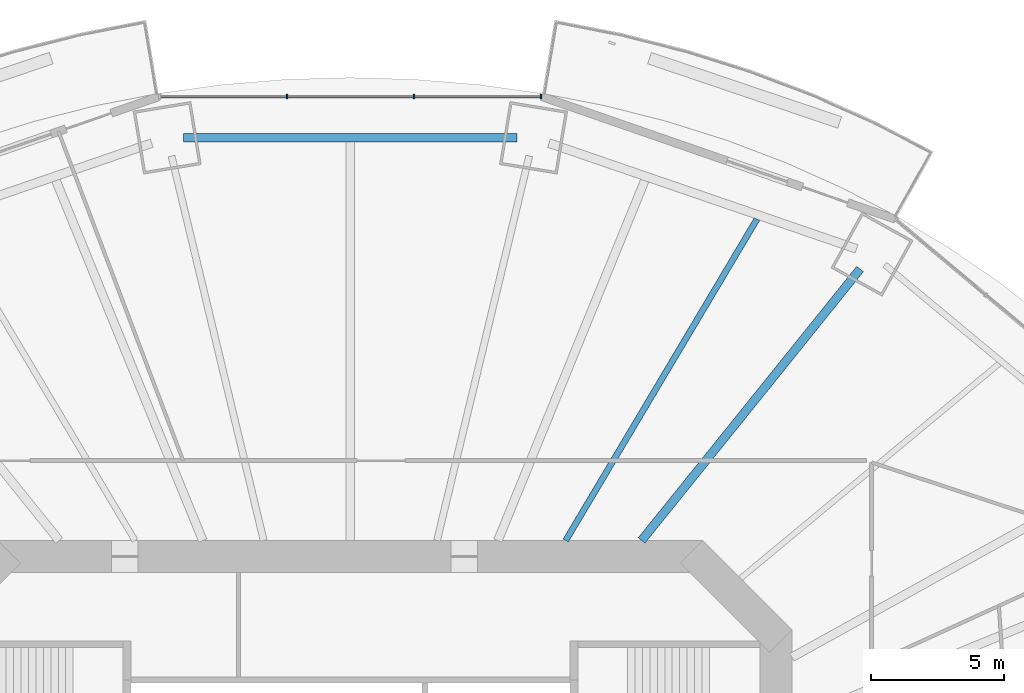
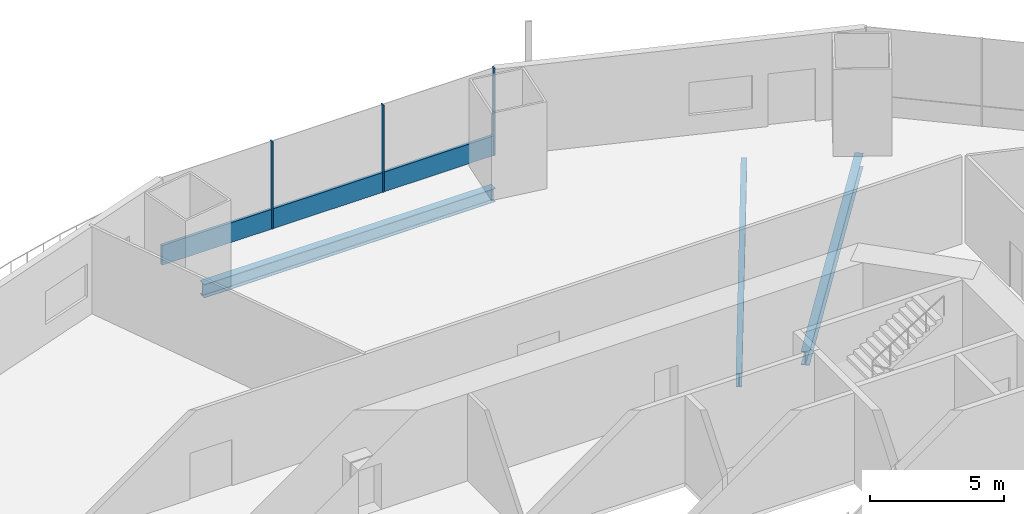
# One storey, part 9 of 23: 4 members, 3 beams, 1 element without a shape of its own.
"""IFC4 building model written with IfcOpenShell, lengths in metres."""

import ifcopenshell
import ifcopenshell.guid

model = None  # the IFC model being written
_history = None  # IfcOwnerHistory: only IFC2X3 demands one
_inside = {}  # id of a spatial element -> (the spatial element, [elements in it])
_under = {}  # id of a project, library or spatial element -> (it, [spatial elements below it])
_declared = {}  # id of a project -> (the project, [libraries it declares])
_typed = {}  # id of a type object -> (the type object, [elements of that type])
_made_of = {}  # id of a material, layer set ... -> (it, [elements and type objects made of it])


def new_model(schema):
    """Start an empty IFC model of exactly this schema.

    Asked for "IFC4X3", IfcOpenShell would pick the latest addendum, in which some entities
    have other attributes; the version numbers below select the first issue.
    IFC2X3 requires an IfcOwnerHistory on every rooted entity: one is made here for all.
    """
    global model, _history
    if schema == "IFC4X3":
        model = ifcopenshell.file(schema_version=(4, 3, 0, 0))
    else:
        model = ifcopenshell.file(schema=schema)
    _inside.clear()
    _under.clear()
    _declared.clear()
    _typed.clear()
    _made_of.clear()
    _history = None
    if model.schema == "IFC2X3":
        org = make("IfcOrganization", Name="unknown")
        user = make(
            "IfcPersonAndOrganization",
            ThePerson=make("IfcPerson", FamilyName="unknown"),
            TheOrganization=org,
        )
        app = make(
            "IfcApplication",
            ApplicationDeveloper=org,
            Version="unknown",
            ApplicationFullName="unknown",
            ApplicationIdentifier="unknown",
        )
        _history = make(
            "IfcOwnerHistory",
            OwningUser=user,
            OwningApplication=app,
            ChangeAction="ADDED",
            CreationDate=0,
        )
    return model


def make(cls, **values):
    """One entity of the class cls with the attributes given. An attribute that is None is left unset."""
    return model.create_entity(
        cls, **{name: value for name, value in values.items() if value is not None}
    )


def rooted(cls, **values):
    """An entity with a GlobalId (a new one), such as an element, a storey or a relation."""
    return make(cls, GlobalId=ifcopenshell.guid.new(), OwnerHistory=_history, **values)


def si_unit(unit_type, name, prefix=None):
    """IfcSIUnit, for example si_unit("LENGTHUNIT", "METRE", prefix="MILLI")."""
    return make("IfcSIUnit", UnitType=unit_type, Prefix=prefix, Name=name)


def assignment(units):
    """IfcUnitAssignment: the units of a project."""
    return None if units is None else make("IfcUnitAssignment", Units=units)


def point(xyz):
    """IfcCartesianPoint."""
    return None if xyz is None else make("IfcCartesianPoint", Coordinates=xyz)


def direction(xyz):
    """IfcDirection."""
    return None if xyz is None else make("IfcDirection", DirectionRatios=xyz)


def frame(location, z_axis=None, x_axis=None):
    """IfcAxis2Placement3D, a coordinate frame: its origin and axes. An axis left out is left unset."""
    return make(
        "IfcAxis2Placement3D",
        Location=point(location),
        Axis=direction(z_axis),
        RefDirection=direction(x_axis),
    )


def frame_2d(location, x_axis=None):
    """IfcAxis2Placement2D, a coordinate frame in the plane: its origin and x axis."""
    return make(
        "IfcAxis2Placement2D", Location=point(location), RefDirection=direction(x_axis)
    )


def origin():
    """The frame at (0, 0, 0) with its axes left unset."""
    return frame((0.0, 0.0, 0.0))


def origin_2d():
    """The frame at (0, 0) in the plane with its x axis left unset."""
    return frame_2d((0.0, 0.0))


def place(relative_to, where):
    """IfcLocalPlacement: puts the frame where relative to a parent placement (None: the world)."""
    return make(
        "IfcLocalPlacement", PlacementRelTo=relative_to, RelativePlacement=where
    )


def context(
    kind, dimensions, precision=None, world=None, true_north=None, identifier=None
):
    """IfcGeometricRepresentationContext, for example the 3D "Model" context."""
    return make(
        "IfcGeometricRepresentationContext",
        ContextIdentifier=identifier,
        ContextType=kind,
        CoordinateSpaceDimension=dimensions,
        Precision=precision,
        WorldCoordinateSystem=world,
        TrueNorth=true_north,
    )


def subcontext(parent, identifier, kind, view, scale=None):
    """IfcGeometricRepresentationSubContext, for example "Body" below "Model"."""
    return make(
        "IfcGeometricRepresentationSubContext",
        ContextIdentifier=identifier,
        ContextType=kind,
        ParentContext=parent,
        TargetScale=scale,
        TargetView=view,
    )


def project(units=None, contexts=None):
    """IfcProject with its units and contexts."""
    return rooted(
        "IfcProject",
        Name="project",
        RepresentationContexts=contexts,
        UnitsInContext=assignment(units),
    )


def spatial(cls, under=None, at=None, **own):
    """A site, building, storey or space (cls), placed at a placement, below another one or the project."""
    s = rooted(cls, ObjectPlacement=at, **own)
    if under is not None:
        _under.setdefault(under.id(), (under, []))[1].append(s)
    return s


def profile(cls, at=None, kind="AREA", **sizes):
    """A parametric profile (cls). Its sizes go by their IFC names, for example OverallWidth=200.0."""
    return make(cls, ProfileType=kind, Position=at, **sizes)


def rectangle(**sizes):
    """IfcRectangleProfileDef."""
    return profile("IfcRectangleProfileDef", **sizes)


def i_section(**sizes):
    """IfcIShapeProfileDef."""
    return profile("IfcIShapeProfileDef", **sizes)


def extrude(swept, where, along, depth):
    """IfcExtrudedAreaSolid: the profile swept, set in the frame where, extruded along a direction by depth."""
    return make(
        "IfcExtrudedAreaSolid",
        SweptArea=swept,
        Position=where,
        ExtrudedDirection=direction(along),
        Depth=depth,
    )


def shape(context_of_items, identifier, shape_type, items):
    """IfcShapeRepresentation: the items that make up one representation, for example the "Body"."""
    return make(
        "IfcShapeRepresentation",
        ContextOfItems=context_of_items,
        RepresentationIdentifier=identifier,
        RepresentationType=shape_type,
        Items=items,
    )


def material(Name=None, Category=None):
    """IfcMaterial."""
    return make("IfcMaterial", Name=Name, Category=Category)


def material_profile(
    of_material, cross_section, Name=None, Category=None, Priority=None
):
    """IfcMaterialProfile: a cross section and its material."""
    return make(
        "IfcMaterialProfile",
        Name=Name,
        Material=of_material,
        Profile=cross_section,
        Priority=Priority,
        Category=Category,
    )


def profile_set(profiles, Name=None, composite=None):
    """IfcMaterialProfileSet."""
    return make(
        "IfcMaterialProfileSet",
        Name=Name,
        MaterialProfiles=profiles,
        CompositeProfile=composite,
    )


def made_of(thing, what):
    """Note that an element or type object is made of a material, layer set ...; save() writes the relation."""
    if what is not None:
        _made_of.setdefault(what.id(), (what, []))[1].append(thing)
    return thing


def type_object(cls, material=None, **own):
    """A type object (cls), such as IfcWallType, which elements share."""
    return made_of(rooted(cls, **own), material)


def element(
    cls,
    number,
    at=None,
    inside=None,
    cuts=None,
    type_object=None,
    material=None,
    context=None,
    identifier="Body",
    shape_type=None,
    held_by="IfcProductDefinitionShape",
    body=None,
    shapes=None,
    **own,
):
    """One element of the class cls, such as IfcWall. Its Tag is "e" and its number.

    at: its placement. inside: the storey or other place that contains it. cuts: it is an
    opening in that element (IfcRelVoidsElement). A single representation is given by context,
    identifier, shape_type and body (its items); several are given by shapes. held_by: the class
    of the entity that holds the representations. save() writes the other relations.
    """
    e = rooted(cls, Tag="e%d" % number, ObjectPlacement=at, **own)
    if body is not None:
        shapes = [shape(context, identifier, shape_type, body)]
    if shapes is not None:
        e.Representation = make(held_by, Representations=shapes)
    if inside is not None:
        _inside.setdefault(inside.id(), (inside, []))[1].append(e)
    if cuts is not None:
        rooted(
            "IfcRelVoidsElement", RelatingBuildingElement=cuts, RelatedOpeningElement=e
        )
    if type_object is not None:
        _typed.setdefault(type_object.id(), (type_object, []))[1].append(e)
    return made_of(e, material)


def aggregate(whole, parts):
    """IfcRelAggregates: a whole, such as a stair, and the parts it consists of."""
    return rooted("IfcRelAggregates", RelatingObject=whole, RelatedObjects=parts)


def save(model, path):
    """Write the relations noted so far, then the file.

    IfcRelAggregates (storeys below a building ...), IfcRelContainedInSpatialStructure (elements
    in a storey), IfcRelDefinesByType, IfcRelAssociatesMaterial and IfcRelDeclares: one each for
    every whole, place, type object, material and project.
    """
    for whole, parts in _under.values():
        aggregate(whole, parts)
    for where, things in _inside.values():
        rooted(
            "IfcRelContainedInSpatialStructure",
            RelatedElements=things,
            RelatingStructure=where,
        )
    for kind, things in _typed.values():
        rooted("IfcRelDefinesByType", RelatedObjects=things, RelatingType=kind)
    for what, things in _made_of.values():
        rooted("IfcRelAssociatesMaterial", RelatedObjects=things, RelatingMaterial=what)
    for by, libraries in _declared.values():
        rooted("IfcRelDeclares", RelatingContext=by, RelatedDefinitions=libraries)
    model.write(path)


model = new_model("IFC4")

# Units and contexts
model_context = context("Model", 3, precision=1e-05, world=origin(), true_north=direction((0.0, 1.0)))
body_context = subcontext(model_context, "Body", "Model", "MODEL_VIEW")
ifc_project = project(units=[si_unit("LENGTHUNIT", "METRE"), si_unit("AREAUNIT", "SQUARE_METRE"), si_unit("VOLUMEUNIT", "CUBIC_METRE"), si_unit("PLANEANGLEUNIT", "RADIAN"), si_unit("MASSUNIT", "GRAM", prefix="KILO")], contexts=[model_context])

# Site, building, storey
site_placement = place(None, origin())
site = spatial("IfcSite", under=ifc_project, at=site_placement, CompositionType="ELEMENT")
building_placement = place(site_placement, origin())
building = spatial("IfcBuilding", under=site, at=building_placement, Name="Marenthal Gate Tower", CompositionType="ELEMENT")
storey_placement = place(building_placement, frame((0.0, 0.0, 41.300048828125)))
storey = spatial("IfcBuildingStorey", under=building, at=storey_placement, Name="L06", CompositionType="ELEMENT", Elevation=41.300048828125)

# Curtain wall, members
ifc_material_1 = material(Name="Aluminium and glass", Category="aluminium")
curtain_wall_type = type_object("IfcCurtainWallType", Name="Curtain wall typical low", PredefinedType="NOTDEFINED", material=ifc_material_1)
curtain_wall_placement = place(storey_placement, origin())
curtain_wall = element("IfcCurtainWall", 1, at=curtain_wall_placement, inside=storey, type_object=curtain_wall_type, Name="Curtain wall L06 bay 4", PredefinedType="NOTDEFINED")
ifc_material_2 = material(Name="Aluminium", Category="aluminium")
ifc_material_profile_1 = material_profile(ifc_material_2, rectangle(XDim=0.159912109375, YDim=0.06005859375, at=origin_2d()), Name="60x160 aluminium mullion")
ifc_profile_set_1 = profile_set([ifc_material_profile_1], Name="Aluminium")
member_type_1 = type_object("IfcMemberType", Name="Mullion 60x160 typical low", PredefinedType="MULLION", material=ifc_profile_set_1)
member_1_placement = place(storey_placement, frame((7.164794921875, 30.28662109375, 0.0), z_axis=(0.0, 0.0, 1.0), x_axis=(0.0, -1.0, 0.0)))
member_1 = element("IfcMember", 2, at=member_1_placement, type_object=member_type_1, Name="Mullion L06 bay 4.1", PredefinedType="MULLION", context=body_context, shape_type="SweptSolid", body=[
    extrude(rectangle(XDim=0.159912109375, YDim=0.06005859375, at=origin_2d()), origin(), (0.0, 0.0, 1.0), 3.969970703125),
])
member_2_placement = place(storey_placement, frame((2.38818359375, 30.28662109375, 0.0), z_axis=(0.0, 0.0, 1.0), x_axis=(0.0, -1.0, 0.0)))
member_2 = element("IfcMember", 3, at=member_2_placement, type_object=member_type_1, Name="Mullion L06 bay 4.2", PredefinedType="MULLION", context=body_context, shape_type="SweptSolid", body=[
    extrude(rectangle(XDim=0.159912109375, YDim=0.06005859375, at=origin_2d()), origin(), (0.0, 0.0, 1.0), 3.969970703125),
])
member_3_placement = place(storey_placement, frame((-2.38818359375, 30.28662109375, 0.0), z_axis=(0.0, 0.0, 1.0), x_axis=(0.0, -1.0, 0.0)))
member_3 = element("IfcMember", 4, at=member_3_placement, type_object=member_type_1, Name="Mullion L06 bay 4.3", PredefinedType="MULLION", context=body_context, shape_type="SweptSolid", body=[
    extrude(rectangle(XDim=0.159912109375, YDim=0.06005859375, at=origin_2d()), origin(), (0.0, 0.0, 1.0), 3.969970703125),
])
ifc_material_3 = material(Name="Aluminium", Category="aluminium")
ifc_material_profile_2 = material_profile(ifc_material_3, rectangle(XDim=0.1201171875, YDim=0.89990234375, at=origin_2d()), Name="120x900 aluminium transom")
ifc_profile_set_2 = profile_set([ifc_material_profile_2], Name="Aluminium")
member_type_2 = type_object("IfcMemberType", Name="Transom 120x900 typical low", PredefinedType="USERDEFINED", material=ifc_profile_set_2)
member_4_placement = place(storey_placement, frame((7.135009765625, 30.28662109375, 0.449951171875), z_axis=(-1.0, 0.0, 0.0), x_axis=(0.0, -1.0, 0.0)))
member_4 = element("IfcMember", 5, at=member_4_placement, type_object=member_type_2, Name="Transom L06 bay 4", ObjectType="TRANSOM", PredefinedType="USERDEFINED", context=body_context, shape_type="SweptSolid", body=[
    extrude(rectangle(XDim=0.1201171875, YDim=0.89990234375, at=origin_2d()), origin(), (0.0, 0.0, 1.0), 14.27001953125),
])
aggregate(curtain_wall, [member_1, member_2, member_3, member_4])

# Beams
ifc_material_4 = material(Name="Steel S355", Category="steel")
ifc_material_profile_3 = material_profile(ifc_material_4, i_section(OverallWidth=0.22900390625, OverallDepth=0.612060546875, WebThickness=0.011962890625, FlangeThickness=0.01953125, FilletRadius=0.0126953125, at=origin_2d()), Name="W610X125")
ifc_profile_set_3 = profile_set([ifc_material_profile_3], Name="Steel S355")
beam_type_1 = type_object("IfcBeamType", Name="W610X125 beam", PredefinedType="BEAM", material=ifc_profile_set_3)
beam_1_placement = place(storey_placement, frame((15.28515625, 25.677734375, -0.486083984375), z_axis=(-0.511504014048, -0.859280887494, 0.0), x_axis=(0.859280887494, -0.511504014048, 0.0)))
element("IfcBeam", 6, at=beam_1_placement, inside=storey, type_object=beam_type_1, Name="BM-L06-20", PredefinedType="BEAM", context=body_context, shape_type="SweptSolid", body=[
    extrude(i_section(OverallWidth=0.22900390625, OverallDepth=0.612060546875, WebThickness=0.011962890625, FlangeThickness=0.01953125, FilletRadius=0.0126953125, at=origin_2d()), origin(), (0.0, 0.0, 1.0), 14.055419921875),
])
ifc_material_5 = material(Name="Steel S355", Category="steel")
ifc_material_profile_4 = material_profile(ifc_material_5, i_section(OverallWidth=0.324951171875, OverallDepth=0.612060546875, WebThickness=0.0126953125, FlangeThickness=0.01904296875, FilletRadius=0.0126953125, at=origin_2d()), Name="W610X155")
ifc_profile_set_4 = profile_set([ifc_material_profile_4], Name="Steel S355")
beam_type_2 = type_object("IfcBeamType", Name="W610X155 beam", PredefinedType="BEAM", material=ifc_profile_set_4)
beam_2_placement = place(storey_placement, frame((19.161376953125, 23.802978515625, -0.486083984375), z_axis=(-0.627069823545, -0.778963052012, 0.0), x_axis=(0.778963052012, -0.627069823545, 0.0)))
element("IfcBeam", 7, at=beam_2_placement, inside=storey, type_object=beam_type_2, Name="BM-L06-03", PredefinedType="BEAM", context=body_context, shape_type="SweptSolid", body=[
    extrude(i_section(OverallWidth=0.324951171875, OverallDepth=0.612060546875, WebThickness=0.0126953125, FlangeThickness=0.01904296875, FilletRadius=0.0126953125, at=origin_2d()), origin(), (0.0, 0.0, 1.0), 13.09814453125),
])
beam_3_placement = place(storey_placement, frame((6.271728515625, 28.737060546875, -0.486083984375), z_axis=(-1.0, 0.0, 0.0), x_axis=(0.0, -1.0, 0.0)))
element("IfcBeam", 8, at=beam_3_placement, inside=storey, type_object=beam_type_2, Name="BM-L06-44", PredefinedType="BEAM", context=body_context, shape_type="SweptSolid", body=[
    extrude(i_section(OverallWidth=0.324951171875, OverallDepth=0.612060546875, WebThickness=0.0126953125, FlangeThickness=0.01904296875, FilletRadius=0.0126953125, at=origin_2d()), origin(), (0.0, 0.0, 1.0), 12.54345703125),
])

save(model, "model.ifc")
